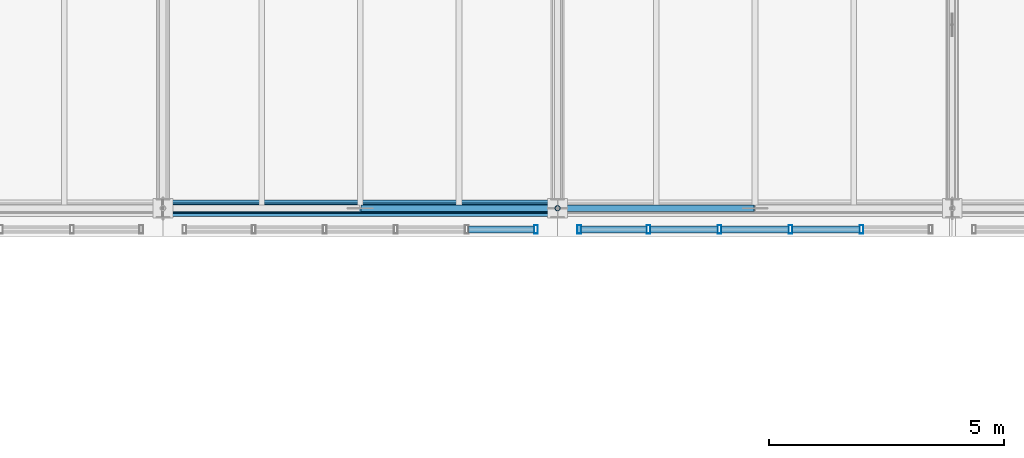
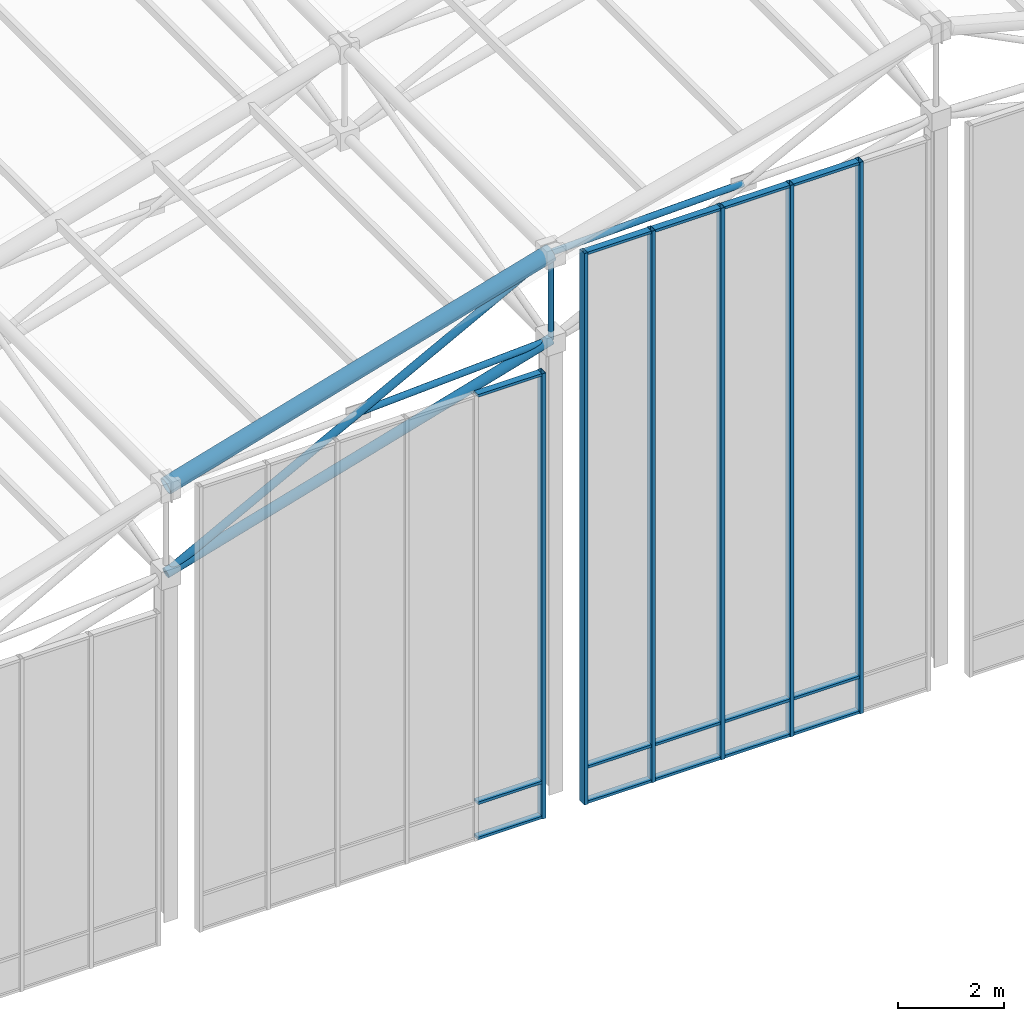
# One storey, part 19 of 144: 27 members, 2 elements without a shape of their own.
"""IFC4 building model written with IfcOpenShell, lengths in metres."""

from ifc_helpers import new_model, si_unit, direction, frame, origin, origin_2d, place, context, subcontext, project, spatial, hollow_rectangle, hollow_circle, extrude, material, layer, layer_set, material_profile, profile_set, type_object, element, aggregate, save


model = new_model("IFC4")

# Units and contexts
model_context = context("Model", 3, precision=1e-05, world=origin(), true_north=direction((0.0, 1.0)))
body_context = subcontext(model_context, "Body", "Model", "MODEL_VIEW")
ifc_project = project(units=[si_unit("LENGTHUNIT", "METRE"), si_unit("AREAUNIT", "SQUARE_METRE"), si_unit("VOLUMEUNIT", "CUBIC_METRE"), si_unit("PLANEANGLEUNIT", "RADIAN"), si_unit("MASSUNIT", "GRAM", prefix="KILO")], contexts=[model_context])

# Site, building, storey
site_placement = place(None, origin())
site = spatial("IfcSite", under=ifc_project, at=site_placement, CompositionType="ELEMENT")
building_placement = place(site_placement, origin())
building = spatial("IfcBuilding", under=site, at=building_placement, Name="Zayran Congress Hotel", CompositionType="ELEMENT")
storey_placement = place(building_placement, frame((0.0, 0.0, 19.199951171875)))
storey = spatial("IfcBuildingStorey", under=building, at=storey_placement, Name="L04", CompositionType="ELEMENT", Elevation=19.199951171875)

# Members
ifc_material_1 = material(Name="Steel S355", Category="steel")
ifc_material_profile_1 = material_profile(ifc_material_1, hollow_circle(Radius=0.177734375, WallThickness=0.01611328125, at=origin_2d()), Name="CHS 355.6x16")
ifc_profile_set_1 = profile_set([ifc_material_profile_1], Name="Steel S355")
member_type_1 = type_object("IfcMemberType", Name="TP-SF-TC1", PredefinedType="CHORD", material=ifc_profile_set_1)
member_1_placement = place(storey_placement, frame((33.60009765625, 68.199951171875, 9.902099609375), z_axis=(0.960000625005, 0.0, 0.279997857116), x_axis=(0.0, 1.0, 0.0)))
element("IfcMember", 1, at=member_1_placement, inside=storey, type_object=member_type_1, Name="Space Frame Top Chord X 166", PredefinedType="CHORD", context=body_context, shape_type="SweptSolid", body=[
    extrude(hollow_circle(Radius=0.177734375, WallThickness=0.01611328125, at=origin_2d()), origin(), (0.0, 0.0, 1.0), 8.75),
])
ifc_material_profile_2 = material_profile(ifc_material_1, hollow_circle(Radius=0.109619140625, WallThickness=0.010009765625, at=origin_2d()), Name="CHS 219.1x10")
ifc_profile_set_2 = profile_set([ifc_material_profile_2], Name="Steel S355")
member_type_2 = type_object("IfcMemberType", Name="TP-SF-BC1", PredefinedType="CHORD", material=ifc_profile_set_2)
member_2_placement = place(storey_placement, frame((33.60009765625, 68.199951171875, 7.900146484375), z_axis=(0.960000625005, 0.0, 0.279997857116), x_axis=(0.0, 1.0, 0.0)))
element("IfcMember", 2, at=member_2_placement, inside=storey, type_object=member_type_2, Name="Space Frame Bottom Chord X 167", PredefinedType="CHORD", context=body_context, shape_type="SweptSolid", body=[
    extrude(hollow_circle(Radius=0.109619140625, WallThickness=0.010009765625, at=origin_2d()), origin(), (0.0, 0.0, 1.0), 8.75),
])
ifc_material_profile_3 = material_profile(ifc_material_1, hollow_circle(Radius=0.084228515625, WallThickness=0.008056640625, at=origin_2d()), Name="CHS 168.3x8")
ifc_profile_set_3 = profile_set([ifc_material_profile_3], Name="Steel S355")
member_type_3 = type_object("IfcMemberType", Name="TP-SF-DG1", PredefinedType="BRACE", material=ifc_profile_set_3)
member_3_placement = place(storey_placement, frame((33.60009765625, 68.199951171875, 7.900146484375), z_axis=(0.883574812642, 0.0, 0.46829002815), x_axis=(0.0, 1.0, 0.0)))
element("IfcMember", 3, at=member_3_placement, inside=storey, type_object=member_type_3, Name="Space Frame Web Diagonal X 168", PredefinedType="BRACE", context=body_context, shape_type="SweptSolid", body=[
    extrude(hollow_circle(Radius=0.084228515625, WallThickness=0.008056640625, at=origin_2d()), origin(), (0.0, 0.0, 1.0), 9.5068359375),
])
ifc_material_profile_4 = material_profile(ifc_material_1, hollow_circle(Radius=0.06982421875, WallThickness=0.00634765625, at=origin_2d()), Name="CHS 139.7x6.3")
ifc_profile_set_4 = profile_set([ifc_material_profile_4], Name="Steel S355")
member_type_4 = type_object("IfcMemberType", Name="TP-SF-DG2", PredefinedType="BRACE", material=ifc_profile_set_4)
member_4_placement = place(storey_placement, frame((37.81494140625, 68.199951171875, 10.126953125), z_axis=(0.99858154811, 0.0, 0.053243701725), x_axis=(0.0, 1.0, 0.0)))
element("IfcMember", 4, at=member_4_placement, inside=storey, type_object=member_type_4, Name="Space Frame Counter Diagonal X Lower 28", PredefinedType="BRACE", context=body_context, shape_type="SweptSolid", body=[
    extrude(hollow_circle(Radius=0.06982421875, WallThickness=0.00634765625, at=origin_2d()), origin(), (0.0, 0.0, 1.0), 4.19091796875),
])
member_5_placement = place(storey_placement, frame((42.0, 68.199951171875, 12.35205078125), z_axis=(0.999564624123, 0.0, 0.029505291087), x_axis=(0.0, 1.0, 0.0)))
element("IfcMember", 5, at=member_5_placement, inside=storey, type_object=member_type_4, Name="Space Frame Counter Diagonal X Upper 222", PredefinedType="BRACE", context=body_context, shape_type="SweptSolid", body=[
    extrude(hollow_circle(Radius=0.06982421875, WallThickness=0.00634765625, at=origin_2d()), origin(), (0.0, 0.0, 1.0), 4.186767578125),
])
ifc_material_profile_5 = material_profile(ifc_material_1, hollow_circle(Radius=0.05712890625, WallThickness=0.00634765625, at=origin_2d()), Name="CHS 114.3x6.3")
ifc_profile_set_5 = profile_set([ifc_material_profile_5], Name="Steel S355")
member_type_5 = type_object("IfcMemberType", Name="TP-SF-DG3", PredefinedType="BRACE", material=ifc_profile_set_5)
member_6_placement = place(storey_placement, frame((42.0, 68.199951171875, 10.35009765625), z_axis=(0.0, 0.0, 1.0), x_axis=(0.0, 1.0, 0.0)))
element("IfcMember", 6, at=member_6_placement, inside=storey, type_object=member_type_5, Name="Space Frame Web Strut 226", PredefinedType="BRACE", context=body_context, shape_type="SweptSolid", body=[
    extrude(hollow_circle(Radius=0.05712890625, WallThickness=0.00634765625, at=origin_2d()), origin(), (0.0, 0.0, 1.0), 2.001953125),
])

# Curtain wall, member
ifc_material_2 = material(Name="Anodised aluminium and low-E insulated glass", Category="aluminium")
ifc_layer_1 = layer(ifc_material_2, 0.179931640625)
ifc_layer_set_1 = layer_set([ifc_layer_1], Name="Anodised aluminium and low-E insulated glass")
curtain_wall_type_1 = type_object("IfcCurtainWallType", Name="CW-V1CL-L04-CW-11-7560-10270", PredefinedType="USERDEFINED", material=ifc_layer_set_1)
curtain_wall_1_placement = place(storey_placement, origin())
curtain_wall_1 = element("IfcCurtainWall", 7, at=curtain_wall_1_placement, inside=storey, type_object=curtain_wall_type_1, Name="CW-V1CLS-3", ObjectType="CURTAIN WALL", PredefinedType="USERDEFINED")
ifc_material_3 = material(Name="Anodised aluminium framing", Category="aluminium")
ifc_material_profile_6 = material_profile(ifc_material_3, hollow_rectangle(XDim=0.080078125, YDim=0.179931640625, WallThickness=0.0048828125, at=origin_2d()), Name="RHS 180x80x5")
ifc_profile_set_6 = profile_set([ifc_material_profile_6], Name="Anodised aluminium framing")
member_type_6 = type_object("IfcMemberType", Name="TP-CWM-01", PredefinedType="MULLION", material=ifc_profile_set_6)
member_7_placement = place(storey_placement, frame((41.5400390625, 67.75, -0.219970703125), z_axis=(0.0, 0.0, 1.0), x_axis=(1.0, 0.0, 0.0)))
member_7 = element("IfcMember", 8, at=member_7_placement, type_object=member_type_6, Name="CW-V1CLS-3-M05", PredefinedType="MULLION", context=body_context, shape_type="SweptSolid", body=[
    extrude(hollow_rectangle(XDim=0.080078125, YDim=0.179931640625, WallThickness=0.0048828125, at=origin_2d()), origin(), (0.0, 0.0, 1.0), 10.27001953125),
])

# Curtain wall, members
ifc_layer_2 = layer(ifc_material_2, 0.179931640625)
ifc_layer_set_2 = layer_set([ifc_layer_2], Name="Anodised aluminium and low-E insulated glass")
curtain_wall_type_2 = type_object("IfcCurtainWallType", Name="CW-V1CL-L04-CW-12-7560-12720", PredefinedType="USERDEFINED", material=ifc_layer_set_2)
curtain_wall_2_placement = place(storey_placement, origin())
curtain_wall_2 = element("IfcCurtainWall", 9, at=curtain_wall_2_placement, inside=storey, type_object=curtain_wall_type_2, Name="CW-V1CLS-4", ObjectType="CURTAIN WALL", PredefinedType="USERDEFINED")
member_8_placement = place(storey_placement, frame((42.4599609375, 67.75, -0.219970703125), z_axis=(0.0, 0.0, 1.0), x_axis=(1.0, 0.0, 0.0)))
member_8 = element("IfcMember", 10, at=member_8_placement, type_object=member_type_6, Name="CW-V1CLS-4-M00", PredefinedType="MULLION", context=body_context, shape_type="SweptSolid", body=[
    extrude(hollow_rectangle(XDim=0.080078125, YDim=0.179931640625, WallThickness=0.0048828125, at=origin_2d()), origin(), (0.0, 0.0, 1.0), 12.719970703125),
])
member_9_placement = place(storey_placement, frame((43.931884765625, 67.75, -0.219970703125), z_axis=(0.0, 0.0, 1.0), x_axis=(1.0, 0.0, 0.0)))
member_9 = element("IfcMember", 11, at=member_9_placement, type_object=member_type_6, Name="CW-V1CLS-4-M01", PredefinedType="MULLION", context=body_context, shape_type="SweptSolid", body=[
    extrude(hollow_rectangle(XDim=0.080078125, YDim=0.179931640625, WallThickness=0.0048828125, at=origin_2d()), origin(), (0.0, 0.0, 1.0), 12.719970703125),
])
member_10_placement = place(storey_placement, frame((45.444091796875, 67.75, -0.219970703125), z_axis=(0.0, 0.0, 1.0), x_axis=(1.0, 0.0, 0.0)))
member_10 = element("IfcMember", 12, at=member_10_placement, type_object=member_type_6, Name="CW-V1CLS-4-M02", PredefinedType="MULLION", context=body_context, shape_type="SweptSolid", body=[
    extrude(hollow_rectangle(XDim=0.080078125, YDim=0.179931640625, WallThickness=0.0048828125, at=origin_2d()), origin(), (0.0, 0.0, 1.0), 12.719970703125),
])
member_11_placement = place(storey_placement, frame((46.9560546875, 67.75, -0.219970703125), z_axis=(0.0, 0.0, 1.0), x_axis=(1.0, 0.0, 0.0)))
member_11 = element("IfcMember", 13, at=member_11_placement, type_object=member_type_6, Name="CW-V1CLS-4-M03", PredefinedType="MULLION", context=body_context, shape_type="SweptSolid", body=[
    extrude(hollow_rectangle(XDim=0.080078125, YDim=0.179931640625, WallThickness=0.0048828125, at=origin_2d()), origin(), (0.0, 0.0, 1.0), 12.719970703125),
])
member_12_placement = place(storey_placement, frame((48.468017578125, 67.75, -0.219970703125), z_axis=(0.0, 0.0, 1.0), x_axis=(1.0, 0.0, 0.0)))
member_12 = element("IfcMember", 14, at=member_12_placement, type_object=member_type_6, Name="CW-V1CLS-4-M04", PredefinedType="MULLION", context=body_context, shape_type="SweptSolid", body=[
    extrude(hollow_rectangle(XDim=0.080078125, YDim=0.179931640625, WallThickness=0.0048828125, at=origin_2d()), origin(), (0.0, 0.0, 1.0), 12.719970703125),
])

# Member
ifc_material_profile_7 = material_profile(ifc_material_3, hollow_rectangle(XDim=0.06005859375, YDim=0.14990234375, WallThickness=0.00390625, at=origin_2d()), Name="RHS 150x60x4")
ifc_profile_set_7 = profile_set([ifc_material_profile_7], Name="Anodised aluminium framing")
member_type_7 = type_object("IfcMemberType", Name="TP-CWT-01", PredefinedType="USERDEFINED", material=ifc_profile_set_7)
member_13_placement = place(storey_placement, frame((40.10791015625, 67.75, -0.18994140625), z_axis=(1.0, 0.0, 0.0), x_axis=(0.0, 0.0, 1.0)))
member_13 = element("IfcMember", 15, at=member_13_placement, type_object=member_type_7, Name="CW-V1CLS-3-T04-0", ObjectType="TRANSOM", PredefinedType="USERDEFINED", context=body_context, shape_type="SweptSolid", body=[
    extrude(hollow_rectangle(XDim=0.06005859375, YDim=0.14990234375, WallThickness=0.00390625, at=origin_2d()), origin(), (0.0, 0.0, 1.0), 1.39208984375),
])

member_14_placement = place(storey_placement, frame((40.10791015625, 67.75, 0.6201171875), z_axis=(1.0, 0.0, 0.0), x_axis=(0.0, 0.0, 1.0)))
member_14 = element("IfcMember", 16, at=member_14_placement, type_object=member_type_7, Name="CW-V1CLS-3-T04-1", ObjectType="TRANSOM", PredefinedType="USERDEFINED", context=body_context, shape_type="SweptSolid", body=[
    extrude(hollow_rectangle(XDim=0.06005859375, YDim=0.14990234375, WallThickness=0.00390625, at=origin_2d()), origin(), (0.0, 0.0, 1.0), 1.39208984375),
])

member_15_placement = place(storey_placement, frame((40.10791015625, 67.75, 10.02001953125), z_axis=(1.0, 0.0, 0.0), x_axis=(0.0, 0.0, 1.0)))
member_15 = element("IfcMember", 17, at=member_15_placement, type_object=member_type_7, Name="CW-V1CLS-3-T04-2", ObjectType="TRANSOM", PredefinedType="USERDEFINED", context=body_context, shape_type="SweptSolid", body=[
    extrude(hollow_rectangle(XDim=0.06005859375, YDim=0.14990234375, WallThickness=0.00390625, at=origin_2d()), origin(), (0.0, 0.0, 1.0), 1.39208984375),
])

aggregate(curtain_wall_1, [member_7, member_13, member_14, member_15])

member_16_placement = place(storey_placement, frame((42.5, 67.75, -0.18994140625), z_axis=(1.0, 0.0, 0.0), x_axis=(0.0, 0.0, 1.0)))
member_16 = element("IfcMember", 18, at=member_16_placement, type_object=member_type_7, Name="CW-V1CLS-4-T00-0", ObjectType="TRANSOM", PredefinedType="USERDEFINED", context=body_context, shape_type="SweptSolid", body=[
    extrude(hollow_rectangle(XDim=0.06005859375, YDim=0.14990234375, WallThickness=0.00390625, at=origin_2d()), origin(), (0.0, 0.0, 1.0), 1.39208984375),
])

member_17_placement = place(storey_placement, frame((42.5, 67.75, 0.6201171875), z_axis=(1.0, 0.0, 0.0), x_axis=(0.0, 0.0, 1.0)))
member_17 = element("IfcMember", 19, at=member_17_placement, type_object=member_type_7, Name="CW-V1CLS-4-T00-1", ObjectType="TRANSOM", PredefinedType="USERDEFINED", context=body_context, shape_type="SweptSolid", body=[
    extrude(hollow_rectangle(XDim=0.06005859375, YDim=0.14990234375, WallThickness=0.00390625, at=origin_2d()), origin(), (0.0, 0.0, 1.0), 1.39208984375),
])

member_18_placement = place(storey_placement, frame((42.5, 67.75, 12.469970703125), z_axis=(1.0, 0.0, 0.0), x_axis=(0.0, 0.0, 1.0)))
member_18 = element("IfcMember", 20, at=member_18_placement, type_object=member_type_7, Name="CW-V1CLS-4-T00-2", ObjectType="TRANSOM", PredefinedType="USERDEFINED", context=body_context, shape_type="SweptSolid", body=[
    extrude(hollow_rectangle(XDim=0.06005859375, YDim=0.14990234375, WallThickness=0.00390625, at=origin_2d()), origin(), (0.0, 0.0, 1.0), 1.39208984375),
])

member_19_placement = place(storey_placement, frame((43.971923828125, 67.75, -0.18994140625), z_axis=(1.0, 0.0, 0.0), x_axis=(0.0, 0.0, 1.0)))
member_19 = element("IfcMember", 21, at=member_19_placement, type_object=member_type_7, Name="CW-V1CLS-4-T01-0", ObjectType="TRANSOM", PredefinedType="USERDEFINED", context=body_context, shape_type="SweptSolid", body=[
    extrude(hollow_rectangle(XDim=0.06005859375, YDim=0.14990234375, WallThickness=0.00390625, at=origin_2d()), origin(), (0.0, 0.0, 1.0), 1.43212890625),
])

member_20_placement = place(storey_placement, frame((43.971923828125, 67.75, 0.6201171875), z_axis=(1.0, 0.0, 0.0), x_axis=(0.0, 0.0, 1.0)))
member_20 = element("IfcMember", 22, at=member_20_placement, type_object=member_type_7, Name="CW-V1CLS-4-T01-1", ObjectType="TRANSOM", PredefinedType="USERDEFINED", context=body_context, shape_type="SweptSolid", body=[
    extrude(hollow_rectangle(XDim=0.06005859375, YDim=0.14990234375, WallThickness=0.00390625, at=origin_2d()), origin(), (0.0, 0.0, 1.0), 1.43212890625),
])

member_21_placement = place(storey_placement, frame((43.971923828125, 67.75, 12.469970703125), z_axis=(1.0, 0.0, 0.0), x_axis=(0.0, 0.0, 1.0)))
member_21 = element("IfcMember", 23, at=member_21_placement, type_object=member_type_7, Name="CW-V1CLS-4-T01-2", ObjectType="TRANSOM", PredefinedType="USERDEFINED", context=body_context, shape_type="SweptSolid", body=[
    extrude(hollow_rectangle(XDim=0.06005859375, YDim=0.14990234375, WallThickness=0.00390625, at=origin_2d()), origin(), (0.0, 0.0, 1.0), 1.43212890625),
])

member_22_placement = place(storey_placement, frame((45.48388671875, 67.75, -0.18994140625), z_axis=(1.0, 0.0, 0.0), x_axis=(0.0, 0.0, 1.0)))
member_22 = element("IfcMember", 24, at=member_22_placement, type_object=member_type_7, Name="CW-V1CLS-4-T02-0", ObjectType="TRANSOM", PredefinedType="USERDEFINED", context=body_context, shape_type="SweptSolid", body=[
    extrude(hollow_rectangle(XDim=0.06005859375, YDim=0.14990234375, WallThickness=0.00390625, at=origin_2d()), origin(), (0.0, 0.0, 1.0), 1.43212890625),
])

member_23_placement = place(storey_placement, frame((45.48388671875, 67.75, 0.6201171875), z_axis=(1.0, 0.0, 0.0), x_axis=(0.0, 0.0, 1.0)))
member_23 = element("IfcMember", 25, at=member_23_placement, type_object=member_type_7, Name="CW-V1CLS-4-T02-1", ObjectType="TRANSOM", PredefinedType="USERDEFINED", context=body_context, shape_type="SweptSolid", body=[
    extrude(hollow_rectangle(XDim=0.06005859375, YDim=0.14990234375, WallThickness=0.00390625, at=origin_2d()), origin(), (0.0, 0.0, 1.0), 1.43212890625),
])

member_24_placement = place(storey_placement, frame((45.48388671875, 67.75, 12.469970703125), z_axis=(1.0, 0.0, 0.0), x_axis=(0.0, 0.0, 1.0)))
member_24 = element("IfcMember", 26, at=member_24_placement, type_object=member_type_7, Name="CW-V1CLS-4-T02-2", ObjectType="TRANSOM", PredefinedType="USERDEFINED", context=body_context, shape_type="SweptSolid", body=[
    extrude(hollow_rectangle(XDim=0.06005859375, YDim=0.14990234375, WallThickness=0.00390625, at=origin_2d()), origin(), (0.0, 0.0, 1.0), 1.43212890625),
])

member_25_placement = place(storey_placement, frame((46.99609375, 67.75, -0.18994140625), z_axis=(1.0, 0.0, 0.0), x_axis=(0.0, 0.0, 1.0)))
member_25 = element("IfcMember", 27, at=member_25_placement, type_object=member_type_7, Name="CW-V1CLS-4-T03-0", ObjectType="TRANSOM", PredefinedType="USERDEFINED", context=body_context, shape_type="SweptSolid", body=[
    extrude(hollow_rectangle(XDim=0.06005859375, YDim=0.14990234375, WallThickness=0.00390625, at=origin_2d()), origin(), (0.0, 0.0, 1.0), 1.431884765625),
])

member_26_placement = place(storey_placement, frame((46.99609375, 67.75, 0.6201171875), z_axis=(1.0, 0.0, 0.0), x_axis=(0.0, 0.0, 1.0)))
member_26 = element("IfcMember", 28, at=member_26_placement, type_object=member_type_7, Name="CW-V1CLS-4-T03-1", ObjectType="TRANSOM", PredefinedType="USERDEFINED", context=body_context, shape_type="SweptSolid", body=[
    extrude(hollow_rectangle(XDim=0.06005859375, YDim=0.14990234375, WallThickness=0.00390625, at=origin_2d()), origin(), (0.0, 0.0, 1.0), 1.431884765625),
])

member_27_placement = place(storey_placement, frame((46.99609375, 67.75, 12.469970703125), z_axis=(1.0, 0.0, 0.0), x_axis=(0.0, 0.0, 1.0)))
member_27 = element("IfcMember", 29, at=member_27_placement, type_object=member_type_7, Name="CW-V1CLS-4-T03-2", ObjectType="TRANSOM", PredefinedType="USERDEFINED", context=body_context, shape_type="SweptSolid", body=[
    extrude(hollow_rectangle(XDim=0.06005859375, YDim=0.14990234375, WallThickness=0.00390625, at=origin_2d()), origin(), (0.0, 0.0, 1.0), 1.431884765625),
])

aggregate(curtain_wall_2, [member_8, member_9, member_10, member_11, member_12, member_16, member_17, member_18, member_19, member_20, member_21, member_22, member_23, member_24, member_25, member_26, member_27])

save(model, "model.ifc")
